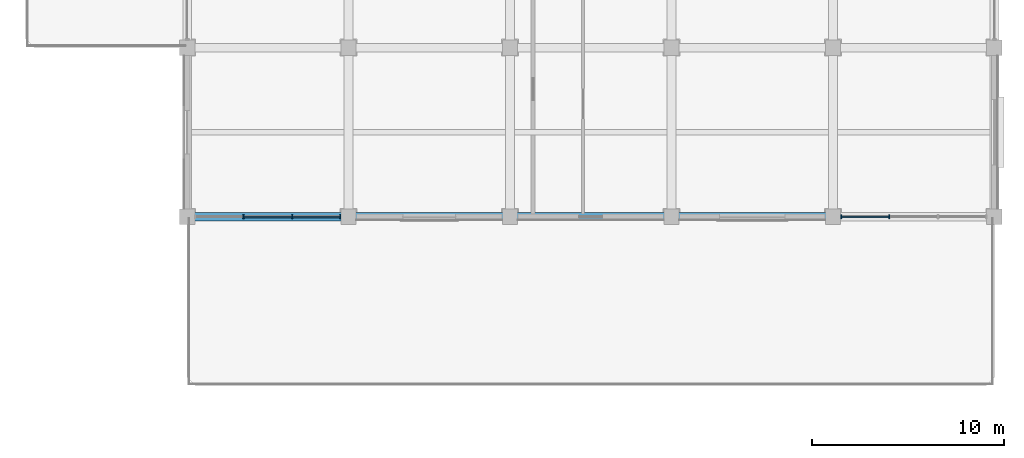
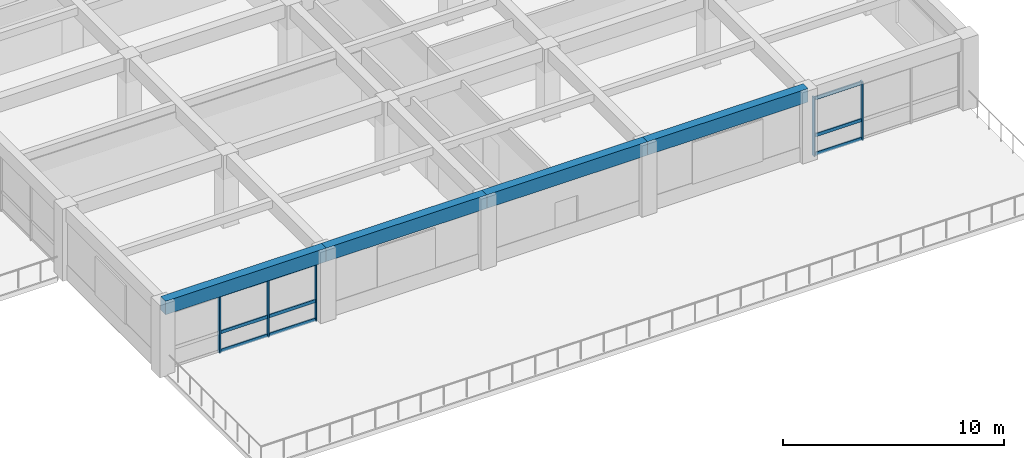
# One storey, part 26 of 49: 14 members, 4 beams, 2 elements without a shape of their own.
"""IFC4 building model written with IfcOpenShell, lengths in metres."""

from ifc_helpers import new_model, si_unit, direction, frame, origin, origin_2d, place, context, subcontext, project, spatial, rectangle, extrude, material, material_profile, profile_set, type_object, element, aggregate, save


model = new_model("IFC4")

# Units and contexts
model_context = context("Model", 3, precision=1e-05, world=origin(), true_north=direction((0.0, 1.0)))
body_context = subcontext(model_context, "Body", "Model", "MODEL_VIEW")
ifc_project = project(units=[si_unit("LENGTHUNIT", "METRE"), si_unit("AREAUNIT", "SQUARE_METRE"), si_unit("VOLUMEUNIT", "CUBIC_METRE"), si_unit("PLANEANGLEUNIT", "RADIAN"), si_unit("MASSUNIT", "GRAM", prefix="KILO")], contexts=[model_context])

# Site, building, storey
site_placement = place(None, origin())
site = spatial("IfcSite", under=ifc_project, at=site_placement, CompositionType="ELEMENT")
building_placement = place(site_placement, origin())
building = spatial("IfcBuilding", under=site, at=building_placement, Name="Kemercrest Conservatory and Botanical Centre", CompositionType="ELEMENT")
storey_placement = place(building_placement, frame((0.0, 0.0, 13.199951171875)))
storey = spatial("IfcBuildingStorey", under=building, at=storey_placement, Name="L03", CompositionType="ELEMENT", Elevation=13.199951171875)

# Curtain wall, members
ifc_material_1 = material(Name="Thermally broken aluminium and triple low-e glazing", Category="aluminium")
curtain_wall_type_1 = type_object("IfcCurtainWallType", Name="CW-03", PredefinedType="USERDEFINED", material=ifc_material_1)
curtain_wall_1_placement = place(storey_placement, origin())
curtain_wall_1 = element("IfcCurtainWall", 1, at=curtain_wall_1_placement, inside=storey, type_object=curtain_wall_type_1, Name="Unitised curtain wall CW-03 (CW:L03:V4-062)", ObjectType="UNITISED CURTAIN WALL", PredefinedType="USERDEFINED")
ifc_material_2 = material(Name="Thermally broken anodized aluminium 6063-T6", Category="aluminium")
ifc_material_profile_1 = material_profile(ifc_material_2, rectangle(XDim=0.199951171875, YDim=0.06494140625, at=origin_2d()), Name="AL MULLION 65x200")
ifc_profile_set_1 = profile_set([ifc_material_profile_1], Name="Thermally broken anodized aluminium 6063-T6")
member_type_1 = type_object("IfcMemberType", Name="CW-M200", PredefinedType="MULLION", material=ifc_profile_set_1)
member_1_placement = place(storey_placement, frame((136.931640625, 78.39990234375, 0.0), z_axis=(0.0, 0.0, 1.0), x_axis=(0.0, 1.0, 0.0)))
member_1 = element("IfcMember", 2, at=member_1_placement, type_object=member_type_1, Name="CW-03 mullion 2", PredefinedType="MULLION", context=body_context, shape_type="SweptSolid", body=[
    extrude(rectangle(XDim=0.199951171875, YDim=0.06494140625, at=origin_2d()), origin(), (0.0, 0.0, 1.0), 3.255126953125),
])
member_2_placement = place(storey_placement, frame((139.46826171875, 78.39990234375, 0.0), z_axis=(0.0, 0.0, 1.0), x_axis=(0.0, 1.0, 0.0)))
member_2 = element("IfcMember", 3, at=member_2_placement, type_object=member_type_1, Name="CW-03 mullion 3", PredefinedType="MULLION", context=body_context, shape_type="SweptSolid", body=[
    extrude(rectangle(XDim=0.199951171875, YDim=0.06494140625, at=origin_2d()), origin(), (0.0, 0.0, 1.0), 3.255126953125),
])
member_3_placement = place(storey_placement, frame((141.972412109375, 78.39990234375, 0.0), z_axis=(0.0, 0.0, 1.0), x_axis=(0.0, 1.0, 0.0)))
member_3 = element("IfcMember", 4, at=member_3_placement, type_object=member_type_1, Name="CW-03 mullion 4", PredefinedType="MULLION", context=body_context, shape_type="SweptSolid", body=[
    extrude(rectangle(XDim=0.199951171875, YDim=0.06494140625, at=origin_2d()), origin(), (0.0, 0.0, 1.0), 3.255126953125),
])

curtain_wall_type_2 = type_object("IfcCurtainWallType", Name="CW-04", PredefinedType="USERDEFINED", material=ifc_material_1)
curtain_wall_2_placement = place(storey_placement, origin())
curtain_wall_2 = element("IfcCurtainWall", 5, at=curtain_wall_2_placement, inside=storey, type_object=curtain_wall_type_2, Name="Unitised curtain wall CW-04 (CW:L03:V4-063)", ObjectType="UNITISED CURTAIN WALL", PredefinedType="USERDEFINED")
member_4_placement = place(storey_placement, frame((168.027587890625, 78.39990234375, 0.0), z_axis=(0.0, 0.0, 1.0), x_axis=(0.0, 1.0, 0.0)))
member_4 = element("IfcMember", 6, at=member_4_placement, type_object=member_type_1, Name="CW-04 mullion 1", PredefinedType="MULLION", context=body_context, shape_type="SweptSolid", body=[
    extrude(rectangle(XDim=0.199951171875, YDim=0.06494140625, at=origin_2d()), origin(), (0.0, 0.0, 1.0), 3.255126953125),
])
member_5_placement = place(storey_placement, frame((170.53173828125, 78.39990234375, 0.0), z_axis=(0.0, 0.0, 1.0), x_axis=(0.0, 1.0, 0.0)))
member_5 = element("IfcMember", 7, at=member_5_placement, type_object=member_type_1, Name="CW-04 mullion 2", PredefinedType="MULLION", context=body_context, shape_type="SweptSolid", body=[
    extrude(rectangle(XDim=0.199951171875, YDim=0.06494140625, at=origin_2d()), origin(), (0.0, 0.0, 1.0), 3.255126953125),
])

# Member
ifc_material_profile_2 = material_profile(ifc_material_2, rectangle(XDim=0.074951171875, YDim=0.179931640625, at=origin_2d()), Name="AL TRANSOM 75x180")
ifc_profile_set_2 = profile_set([ifc_material_profile_2], Name="Thermally broken anodized aluminium 6063-T6")
member_type_2 = type_object("IfcMemberType", Name="CW-T180", PredefinedType="USERDEFINED", material=ifc_profile_set_2)
member_6_placement = place(storey_placement, frame((136.964111328125, 78.39990234375, 0.090087890625), z_axis=(1.0, 0.0, 0.0), x_axis=(0.0, 1.0, 0.0)))
member_6 = element("IfcMember", 8, at=member_6_placement, type_object=member_type_2, Name="CW-03 transom 2.1", ObjectType="TRANSOM", PredefinedType="USERDEFINED", context=body_context, shape_type="SweptSolid", body=[
    extrude(rectangle(XDim=0.074951171875, YDim=0.179931640625, at=origin_2d()), origin(), (0.0, 0.0, 1.0), 2.4716796875),
])

member_7_placement = place(storey_placement, frame((136.964111328125, 78.39990234375, 1.1201171875), z_axis=(1.0, 0.0, 0.0), x_axis=(0.0, 1.0, 0.0)))
member_7 = element("IfcMember", 9, at=member_7_placement, type_object=member_type_2, Name="CW-03 transom 2.2", ObjectType="TRANSOM", PredefinedType="USERDEFINED", context=body_context, shape_type="SweptSolid", body=[
    extrude(rectangle(XDim=0.074951171875, YDim=0.179931640625, at=origin_2d()), origin(), (0.0, 0.0, 1.0), 2.4716796875),
])

member_8_placement = place(storey_placement, frame((136.964111328125, 78.39990234375, 3.1650390625), z_axis=(1.0, 0.0, 0.0), x_axis=(0.0, 1.0, 0.0)))
member_8 = element("IfcMember", 10, at=member_8_placement, type_object=member_type_2, Name="CW-03 transom 2.3", ObjectType="TRANSOM", PredefinedType="USERDEFINED", context=body_context, shape_type="SweptSolid", body=[
    extrude(rectangle(XDim=0.074951171875, YDim=0.179931640625, at=origin_2d()), origin(), (0.0, 0.0, 1.0), 2.4716796875),
])

member_9_placement = place(storey_placement, frame((139.500732421875, 78.39990234375, 0.090087890625), z_axis=(1.0, 0.0, 0.0), x_axis=(0.0, 1.0, 0.0)))
member_9 = element("IfcMember", 11, at=member_9_placement, type_object=member_type_2, Name="CW-03 transom 3.1", ObjectType="TRANSOM", PredefinedType="USERDEFINED", context=body_context, shape_type="SweptSolid", body=[
    extrude(rectangle(XDim=0.074951171875, YDim=0.179931640625, at=origin_2d()), origin(), (0.0, 0.0, 1.0), 2.439208984375),
])

member_10_placement = place(storey_placement, frame((139.500732421875, 78.39990234375, 1.1201171875), z_axis=(1.0, 0.0, 0.0), x_axis=(0.0, 1.0, 0.0)))
member_10 = element("IfcMember", 12, at=member_10_placement, type_object=member_type_2, Name="CW-03 transom 3.2", ObjectType="TRANSOM", PredefinedType="USERDEFINED", context=body_context, shape_type="SweptSolid", body=[
    extrude(rectangle(XDim=0.074951171875, YDim=0.179931640625, at=origin_2d()), origin(), (0.0, 0.0, 1.0), 2.439208984375),
])

member_11_placement = place(storey_placement, frame((139.500732421875, 78.39990234375, 3.1650390625), z_axis=(1.0, 0.0, 0.0), x_axis=(0.0, 1.0, 0.0)))
member_11 = element("IfcMember", 13, at=member_11_placement, type_object=member_type_2, Name="CW-03 transom 3.3", ObjectType="TRANSOM", PredefinedType="USERDEFINED", context=body_context, shape_type="SweptSolid", body=[
    extrude(rectangle(XDim=0.074951171875, YDim=0.179931640625, at=origin_2d()), origin(), (0.0, 0.0, 1.0), 2.439208984375),
])

aggregate(curtain_wall_1, [member_1, member_2, member_3, member_6, member_7, member_8, member_9, member_10, member_11])

member_12_placement = place(storey_placement, frame((168.06005859375, 78.39990234375, 0.090087890625), z_axis=(1.0, 0.0, 0.0), x_axis=(0.0, 1.0, 0.0)))
member_12 = element("IfcMember", 14, at=member_12_placement, type_object=member_type_2, Name="CW-04 transom 1.1", ObjectType="TRANSOM", PredefinedType="USERDEFINED", context=body_context, shape_type="SweptSolid", body=[
    extrude(rectangle(XDim=0.074951171875, YDim=0.179931640625, at=origin_2d()), origin(), (0.0, 0.0, 1.0), 2.439208984375),
])

member_13_placement = place(storey_placement, frame((168.06005859375, 78.39990234375, 1.1201171875), z_axis=(1.0, 0.0, 0.0), x_axis=(0.0, 1.0, 0.0)))
member_13 = element("IfcMember", 15, at=member_13_placement, type_object=member_type_2, Name="CW-04 transom 1.2", ObjectType="TRANSOM", PredefinedType="USERDEFINED", context=body_context, shape_type="SweptSolid", body=[
    extrude(rectangle(XDim=0.074951171875, YDim=0.179931640625, at=origin_2d()), origin(), (0.0, 0.0, 1.0), 2.439208984375),
])

member_14_placement = place(storey_placement, frame((168.06005859375, 78.39990234375, 3.1650390625), z_axis=(1.0, 0.0, 0.0), x_axis=(0.0, 1.0, 0.0)))
member_14 = element("IfcMember", 16, at=member_14_placement, type_object=member_type_2, Name="CW-04 transom 1.3", ObjectType="TRANSOM", PredefinedType="USERDEFINED", context=body_context, shape_type="SweptSolid", body=[
    extrude(rectangle(XDim=0.074951171875, YDim=0.179931640625, at=origin_2d()), origin(), (0.0, 0.0, 1.0), 2.439208984375),
])

aggregate(curtain_wall_2, [member_4, member_5, member_12, member_13, member_14])

# Beams
ifc_material_3 = material(Name="Concrete C40/50", Category="concrete")
ifc_material_profile_3 = material_profile(ifc_material_3, rectangle(XDim=0.449951171875, YDim=0.75, at=origin_2d()), Name="RC 450x750")
ifc_profile_set_3 = profile_set([ifc_material_profile_3], Name="Concrete C40/50")
beam_type = type_object("IfcBeamType", Name="SP-RC75", PredefinedType="SPANDREL", material=ifc_profile_set_3)
beam_1_placement = place(storey_placement, frame((134.0, 78.39990234375, 3.625), z_axis=(1.0, 0.0, 0.0), x_axis=(0.0, 1.0, 0.0)))
element("IfcBeam", 17, at=beam_1_placement, inside=storey, type_object=beam_type, Name="V4-L04 beam SP-RC75 J/16-17", PredefinedType="SPANDREL", context=body_context, shape_type="SweptSolid", body=[
    extrude(rectangle(XDim=0.449951171875, YDim=0.75, at=origin_2d()), origin(), (0.0, 0.0, 1.0), 8.39990234375),
])
beam_2_placement = place(storey_placement, frame((142.39990234375, 78.39990234375, 3.625), z_axis=(1.0, 0.0, 0.0), x_axis=(0.0, 1.0, 0.0)))
element("IfcBeam", 18, at=beam_2_placement, inside=storey, type_object=beam_type, Name="V4-L04 beam SP-RC75 J/17-18", PredefinedType="SPANDREL", context=body_context, shape_type="SweptSolid", body=[
    extrude(rectangle(XDim=0.449951171875, YDim=0.75, at=origin_2d()), origin(), (0.0, 0.0, 1.0), 8.400146484375),
])
beam_3_placement = place(storey_placement, frame((150.800048828125, 78.39990234375, 3.625), z_axis=(1.0, 0.0, 0.0), x_axis=(0.0, 1.0, 0.0)))
element("IfcBeam", 19, at=beam_3_placement, inside=storey, type_object=beam_type, Name="V4-L04 beam SP-RC75 J/18-19", PredefinedType="SPANDREL", context=body_context, shape_type="SweptSolid", body=[
    extrude(rectangle(XDim=0.449951171875, YDim=0.75, at=origin_2d()), origin(), (0.0, 0.0, 1.0), 8.39990234375),
])
beam_4_placement = place(storey_placement, frame((159.199951171875, 78.39990234375, 3.625), z_axis=(1.0, 0.0, 0.0), x_axis=(0.0, 1.0, 0.0)))
element("IfcBeam", 20, at=beam_4_placement, inside=storey, type_object=beam_type, Name="V4-L04 beam SP-RC75 J/19-20", PredefinedType="SPANDREL", context=body_context, shape_type="SweptSolid", body=[
    extrude(rectangle(XDim=0.449951171875, YDim=0.75, at=origin_2d()), origin(), (0.0, 0.0, 1.0), 8.400146484375),
])

save(model, "model.ifc")
